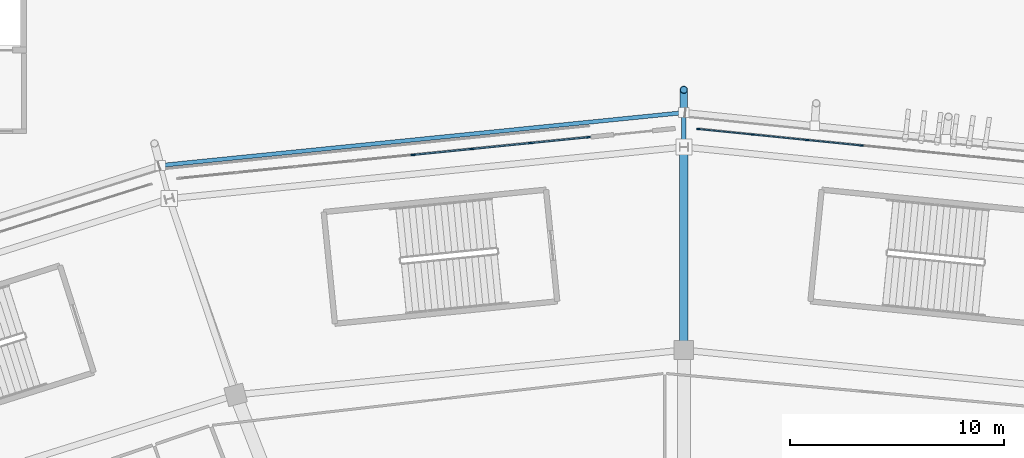
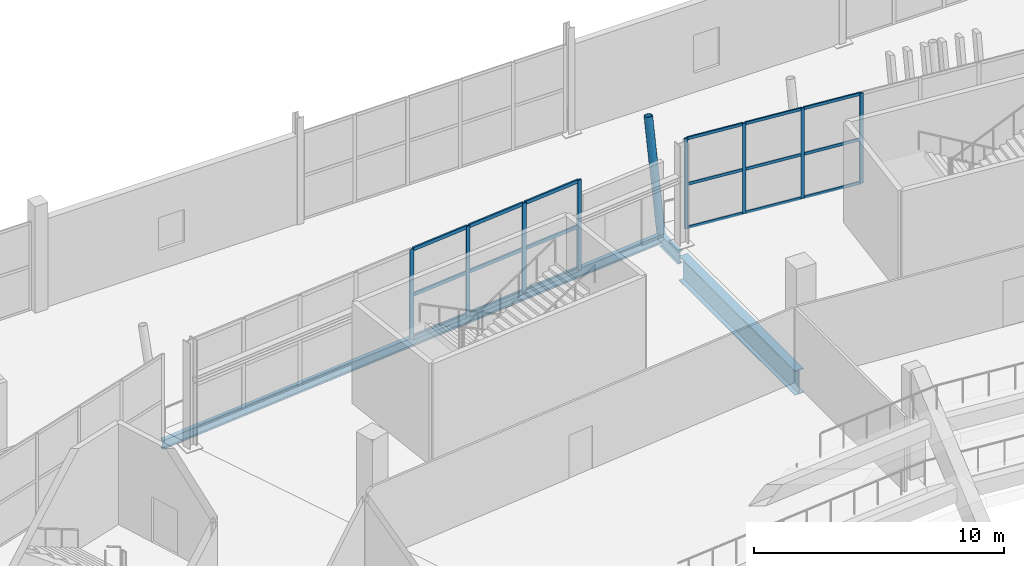
# One storey, part 76 of 178: 27 members, 3 beams, 2 elements without a shape of their own.
"""IFC4 building model written with IfcOpenShell, lengths in metres."""

from ifc_helpers import new_model, si_unit, direction, frame, origin, origin_2d, place, context, subcontext, project, spatial, rectangle, hollow_circle, i_section, extrude, material, material_profile, profile_set, type_object, element, aggregate, save


model = new_model("IFC4")

# Units and contexts
model_context = context("Model", 3, precision=1e-05, world=origin(), true_north=direction((0.0, 1.0)))
body_context = subcontext(model_context, "Body", "Model", "MODEL_VIEW")
ifc_project = project(units=[si_unit("LENGTHUNIT", "METRE"), si_unit("AREAUNIT", "SQUARE_METRE"), si_unit("VOLUMEUNIT", "CUBIC_METRE"), si_unit("PLANEANGLEUNIT", "RADIAN"), si_unit("MASSUNIT", "GRAM", prefix="KILO")], contexts=[model_context])

# Site, building, storey
site_placement = place(None, origin())
site = spatial("IfcSite", under=ifc_project, at=site_placement, CompositionType="ELEMENT")
building_placement = place(site_placement, origin())
building = spatial("IfcBuilding", under=site, at=building_placement, Name="Zlatoyarsky Gate Stadium", CompositionType="ELEMENT")
storey_placement = place(building_placement, frame((0.0, 0.0, 5.39990234375)))
storey = spatial("IfcBuildingStorey", under=building, at=storey_placement, Name="L01", CompositionType="ELEMENT", Elevation=5.39990234375)

# Curtain wall, members
ifc_material_1 = material(Name="Thermally broken anodised aluminium curtain wall", Category="aluminium")
curtain_wall_type_1 = type_object("IfcCurtainWallType", Name="MONUMENTAL ARCHED GATE GLAZING LOWER", PredefinedType="USERDEFINED", material=ifc_material_1)
curtain_wall_1_placement = place(storey_placement, origin())
curtain_wall_1 = element("IfcCurtainWall", 1, at=curtain_wall_1_placement, inside=storey, type_object=curtain_wall_type_1, Name="Curtain wall CW-L01-06", ObjectType="ARCHED GATE GLAZING", PredefinedType="USERDEFINED")
ifc_material_2 = material(Name="Anodised aluminium 6063-T6", Category="aluminium")
ifc_material_profile_1 = material_profile(ifc_material_2, rectangle(XDim=0.074951171875, YDim=0.18994140625, at=origin_2d()), Name="ALU 75X190")
ifc_profile_set_1 = profile_set([ifc_material_profile_1], Name="Anodised aluminium 6063-T6")
member_type_1 = type_object("IfcMemberType", Name="ALUMINIUM GATE MULLION 75X190", PredefinedType="MULLION", material=ifc_profile_set_1)
member_1_placement = place(storey_placement, frame((106.53515625, 151.45849609375, 0.0), z_axis=(0.0, 0.0, 1.0), x_axis=(0.100302795257, -0.994956958498, 0.0)))
member_1 = element("IfcMember", 2, at=member_1_placement, type_object=member_type_1, Name="CW-AG1 mullion 1", PredefinedType="MULLION", context=body_context, shape_type="SweptSolid", body=[
    extrude(rectangle(XDim=0.074951171875, YDim=0.18994140625, at=origin_2d()), origin(), (0.0, 0.0, 1.0), 4.400146484375),
])
member_2_placement = place(storey_placement, frame((103.8251953125, 151.185302734375, 0.0), z_axis=(0.0, 0.0, 1.0), x_axis=(0.100302795257, -0.994956958498, 0.0)))
member_2 = element("IfcMember", 3, at=member_2_placement, type_object=member_type_1, Name="CW-AG1 mullion 2", PredefinedType="MULLION", context=body_context, shape_type="SweptSolid", body=[
    extrude(rectangle(XDim=0.074951171875, YDim=0.18994140625, at=origin_2d()), origin(), (0.0, 0.0, 1.0), 4.400146484375),
])
member_3_placement = place(storey_placement, frame((101.077880859375, 150.908203125, 0.0), z_axis=(0.0, 0.0, 1.0), x_axis=(0.100302795257, -0.994956958498, 0.0)))
member_3 = element("IfcMember", 4, at=member_3_placement, type_object=member_type_1, Name="CW-AG1 mullion 3", PredefinedType="MULLION", context=body_context, shape_type="SweptSolid", body=[
    extrude(rectangle(XDim=0.074951171875, YDim=0.18994140625, at=origin_2d()), origin(), (0.0, 0.0, 1.0), 4.400146484375),
])
member_4_placement = place(storey_placement, frame((98.33056640625, 150.63134765625, 0.0), z_axis=(0.0, 0.0, 1.0), x_axis=(0.100302795257, -0.994956958498, 0.0)))
member_4 = element("IfcMember", 5, at=member_4_placement, type_object=member_type_1, Name="CW-AG1 mullion 4", PredefinedType="MULLION", context=body_context, shape_type="SweptSolid", body=[
    extrude(rectangle(XDim=0.074951171875, YDim=0.18994140625, at=origin_2d()), origin(), (0.0, 0.0, 1.0), 4.400146484375),
])
ifc_material_profile_2 = material_profile(ifc_material_2, rectangle(XDim=0.074951171875, YDim=0.169921875, at=origin_2d()), Name="ALU 75X170")
ifc_profile_set_2 = profile_set([ifc_material_profile_2], Name="Anodised aluminium 6063-T6")
member_type_2 = type_object("IfcMemberType", Name="ALUMINIUM GATE TRANSOM 75X170", PredefinedType="USERDEFINED", material=ifc_profile_set_2)
member_5_placement = place(storey_placement, frame((106.497802734375, 151.45458984375, 0.03759765625), z_axis=(-0.994959320295, -0.100279364565, 0.0), x_axis=(0.100279364565, -0.994959320295, 0.0)))
member_5 = element("IfcMember", 6, at=member_5_placement, type_object=member_type_2, Name="CW-AG1 transom 1.1", ObjectType="TRANSOM", PredefinedType="USERDEFINED", context=body_context, shape_type="SweptSolid", body=[
    extrude(rectangle(XDim=0.074951171875, YDim=0.169921875, at=origin_2d()), origin(), (0.0, 0.0, 1.0), 2.64892578125),
])
member_6_placement = place(storey_placement, frame((106.497802734375, 151.45458984375, 2.150146484375), z_axis=(-0.994959320295, -0.100279364565, 0.0), x_axis=(0.100279364565, -0.994959320295, 0.0)))
member_6 = element("IfcMember", 7, at=member_6_placement, type_object=member_type_2, Name="CW-AG1 transom 1.2", ObjectType="TRANSOM", PredefinedType="USERDEFINED", context=body_context, shape_type="SweptSolid", body=[
    extrude(rectangle(XDim=0.074951171875, YDim=0.169921875, at=origin_2d()), origin(), (0.0, 0.0, 1.0), 2.64892578125),
])
member_7_placement = place(storey_placement, frame((106.497802734375, 151.45458984375, 4.362548828125), z_axis=(-0.994959320295, -0.100279364565, 0.0), x_axis=(0.100279364565, -0.994959320295, 0.0)))
member_7 = element("IfcMember", 8, at=member_7_placement, type_object=member_type_2, Name="CW-AG1 transom 1.3", ObjectType="TRANSOM", PredefinedType="USERDEFINED", context=body_context, shape_type="SweptSolid", body=[
    extrude(rectangle(XDim=0.074951171875, YDim=0.169921875, at=origin_2d()), origin(), (0.0, 0.0, 1.0), 2.64892578125),
])
member_8_placement = place(storey_placement, frame((103.787841796875, 151.181396484375, 0.03759765625), z_axis=(-0.994962218896, -0.100250600844, 0.0), x_axis=(0.100250600844, -0.994962218896, 0.0)))
member_8 = element("IfcMember", 9, at=member_8_placement, type_object=member_type_2, Name="CW-AG1 transom 2.1", ObjectType="TRANSOM", PredefinedType="USERDEFINED", context=body_context, shape_type="SweptSolid", body=[
    extrude(rectangle(XDim=0.074951171875, YDim=0.169921875, at=origin_2d()), origin(), (0.0, 0.0, 1.0), 2.68603515625),
])
member_9_placement = place(storey_placement, frame((103.787841796875, 151.181396484375, 2.150146484375), z_axis=(-0.994962218896, -0.100250600844, 0.0), x_axis=(0.100250600844, -0.994962218896, 0.0)))
member_9 = element("IfcMember", 10, at=member_9_placement, type_object=member_type_2, Name="CW-AG1 transom 2.2", ObjectType="TRANSOM", PredefinedType="USERDEFINED", context=body_context, shape_type="SweptSolid", body=[
    extrude(rectangle(XDim=0.074951171875, YDim=0.169921875, at=origin_2d()), origin(), (0.0, 0.0, 1.0), 2.68603515625),
])
member_10_placement = place(storey_placement, frame((103.787841796875, 151.181396484375, 4.362548828125), z_axis=(-0.994962218896, -0.100250600844, 0.0), x_axis=(0.100250600844, -0.994962218896, 0.0)))
member_10 = element("IfcMember", 11, at=member_10_placement, type_object=member_type_2, Name="CW-AG1 transom 2.3", ObjectType="TRANSOM", PredefinedType="USERDEFINED", context=body_context, shape_type="SweptSolid", body=[
    extrude(rectangle(XDim=0.074951171875, YDim=0.169921875, at=origin_2d()), origin(), (0.0, 0.0, 1.0), 2.68603515625),
])
member_11_placement = place(storey_placement, frame((101.04052734375, 150.904541015625, 0.03759765625), z_axis=(-0.994953149133, -0.100340575193, 0.0), x_axis=(0.100340575193, -0.994953149133, 0.0)))
member_11 = element("IfcMember", 12, at=member_11_placement, type_object=member_type_2, Name="CW-AG1 transom 3.1", ObjectType="TRANSOM", PredefinedType="USERDEFINED", context=body_context, shape_type="SweptSolid", body=[
    extrude(rectangle(XDim=0.074951171875, YDim=0.169921875, at=origin_2d()), origin(), (0.0, 0.0, 1.0), 2.686279296875),
])
member_12_placement = place(storey_placement, frame((101.04052734375, 150.904541015625, 2.150146484375), z_axis=(-0.994953149133, -0.100340575193, 0.0), x_axis=(0.100340575193, -0.994953149133, 0.0)))
member_12 = element("IfcMember", 13, at=member_12_placement, type_object=member_type_2, Name="CW-AG1 transom 3.2", ObjectType="TRANSOM", PredefinedType="USERDEFINED", context=body_context, shape_type="SweptSolid", body=[
    extrude(rectangle(XDim=0.074951171875, YDim=0.169921875, at=origin_2d()), origin(), (0.0, 0.0, 1.0), 2.686279296875),
])
member_13_placement = place(storey_placement, frame((101.04052734375, 150.904541015625, 4.362548828125), z_axis=(-0.994953149133, -0.100340575193, 0.0), x_axis=(0.100340575193, -0.994953149133, 0.0)))
member_13 = element("IfcMember", 14, at=member_13_placement, type_object=member_type_2, Name="CW-AG1 transom 3.3", ObjectType="TRANSOM", PredefinedType="USERDEFINED", context=body_context, shape_type="SweptSolid", body=[
    extrude(rectangle(XDim=0.074951171875, YDim=0.169921875, at=origin_2d()), origin(), (0.0, 0.0, 1.0), 2.686279296875),
])
aggregate(curtain_wall_1, [member_1, member_2, member_3, member_4, member_5, member_6, member_7, member_8, member_9, member_10, member_11, member_12, member_13])

curtain_wall_type_2 = type_object("IfcCurtainWallType", Name="UNITISED HOSPITALITY GLAZING L01", PredefinedType="USERDEFINED", material=ifc_material_1)
curtain_wall_2_placement = place(storey_placement, origin())
curtain_wall_2 = element("IfcCurtainWall", 15, at=curtain_wall_2_placement, inside=storey, type_object=curtain_wall_type_2, Name="Curtain wall CW-L01-05", ObjectType="UNITISED GLAZING", PredefinedType="USERDEFINED")
ifc_material_profile_3 = material_profile(ifc_material_2, rectangle(XDim=0.06494140625, YDim=0.159912109375, at=origin_2d()), Name="ALU 65X160")
ifc_profile_set_3 = profile_set([ifc_material_profile_3], Name="Anodised aluminium 6063-T6")
member_type_3 = type_object("IfcMemberType", Name="ALUMINIUM MULLION 65X160", PredefinedType="MULLION", material=ifc_profile_set_3)
member_14_placement = place(storey_placement, frame((119.3173828125, 151.070068359375, 0.0), z_axis=(0.0, 0.0, 1.0), x_axis=(-0.100300354307, -0.99495720457, 0.0)))
member_14 = element("IfcMember", 16, at=member_14_placement, type_object=member_type_3, Name="CW-UG1 mullion 7", PredefinedType="MULLION", context=body_context, shape_type="SweptSolid", body=[
    extrude(rectangle(XDim=0.06494140625, YDim=0.159912109375, at=origin_2d()), origin(), (0.0, 0.0, 1.0), 4.400146484375),
])
member_15_placement = place(storey_placement, frame((116.760498046875, 151.327880859375, 0.0), z_axis=(0.0, 0.0, 1.0), x_axis=(-0.100300354307, -0.99495720457, 0.0)))
member_15 = element("IfcMember", 17, at=member_15_placement, type_object=member_type_3, Name="CW-UG1 mullion 8", PredefinedType="MULLION", context=body_context, shape_type="SweptSolid", body=[
    extrude(rectangle(XDim=0.06494140625, YDim=0.159912109375, at=origin_2d()), origin(), (0.0, 0.0, 1.0), 4.400146484375),
])
member_16_placement = place(storey_placement, frame((114.20361328125, 151.58544921875, 0.0), z_axis=(0.0, 0.0, 1.0), x_axis=(-0.100300354307, -0.99495720457, 0.0)))
member_16 = element("IfcMember", 18, at=member_16_placement, type_object=member_type_3, Name="CW-UG1 mullion 9", PredefinedType="MULLION", context=body_context, shape_type="SweptSolid", body=[
    extrude(rectangle(XDim=0.06494140625, YDim=0.159912109375, at=origin_2d()), origin(), (0.0, 0.0, 1.0), 4.400146484375),
])
member_17_placement = place(storey_placement, frame((111.678955078125, 151.840087890625, 0.0), z_axis=(0.0, 0.0, 1.0), x_axis=(-0.100300354307, -0.99495720457, 0.0)))
member_17 = element("IfcMember", 19, at=member_17_placement, type_object=member_type_3, Name="CW-UG1 mullion 10", PredefinedType="MULLION", context=body_context, shape_type="SweptSolid", body=[
    extrude(rectangle(XDim=0.06494140625, YDim=0.159912109375, at=origin_2d()), origin(), (0.0, 0.0, 1.0), 4.400146484375),
])
ifc_material_profile_4 = material_profile(ifc_material_2, rectangle(XDim=0.06494140625, YDim=0.139892578125, at=origin_2d()), Name="ALU 65X140")
ifc_profile_set_4 = profile_set([ifc_material_profile_4], Name="Anodised aluminium 6063-T6")
member_type_4 = type_object("IfcMemberType", Name="ALUMINIUM TRANSOM 65X140", PredefinedType="USERDEFINED", material=ifc_profile_set_4)
member_18_placement = place(storey_placement, frame((119.284912109375, 151.0732421875, 0.03271484375), z_axis=(-0.994957742763, 0.10029501541, 0.0), x_axis=(-0.10029501541, -0.994957742763, 0.0)))
member_18 = element("IfcMember", 20, at=member_18_placement, type_object=member_type_4, Name="CW-UG1 transom 7.1", ObjectType="TRANSOM", PredefinedType="USERDEFINED", context=body_context, shape_type="SweptSolid", body=[
    extrude(rectangle(XDim=0.06494140625, YDim=0.139892578125, at=origin_2d()), origin(), (0.0, 0.0, 1.0), 2.5048828125),
])
member_19_placement = place(storey_placement, frame((119.284912109375, 151.0732421875, 2.150146484375), z_axis=(-0.994957742763, 0.10029501541, 0.0), x_axis=(-0.10029501541, -0.994957742763, 0.0)))
member_19 = element("IfcMember", 21, at=member_19_placement, type_object=member_type_4, Name="CW-UG1 transom 7.2", ObjectType="TRANSOM", PredefinedType="USERDEFINED", context=body_context, shape_type="SweptSolid", body=[
    extrude(rectangle(XDim=0.06494140625, YDim=0.139892578125, at=origin_2d()), origin(), (0.0, 0.0, 1.0), 2.5048828125),
])
member_20_placement = place(storey_placement, frame((119.284912109375, 151.0732421875, 4.36767578125), z_axis=(-0.994957742763, 0.10029501541, 0.0), x_axis=(-0.10029501541, -0.994957742763, 0.0)))
member_20 = element("IfcMember", 22, at=member_20_placement, type_object=member_type_4, Name="CW-UG1 transom 7.3", ObjectType="TRANSOM", PredefinedType="USERDEFINED", context=body_context, shape_type="SweptSolid", body=[
    extrude(rectangle(XDim=0.06494140625, YDim=0.139892578125, at=origin_2d()), origin(), (0.0, 0.0, 1.0), 2.5048828125),
])
member_21_placement = place(storey_placement, frame((116.72802734375, 151.3310546875, 0.03271484375), z_axis=(-0.994957742763, 0.10029501541, 0.0), x_axis=(-0.10029501541, -0.994957742763, 0.0)))
member_21 = element("IfcMember", 23, at=member_21_placement, type_object=member_type_4, Name="CW-UG1 transom 8.1", ObjectType="TRANSOM", PredefinedType="USERDEFINED", context=body_context, shape_type="SweptSolid", body=[
    extrude(rectangle(XDim=0.06494140625, YDim=0.139892578125, at=origin_2d()), origin(), (0.0, 0.0, 1.0), 2.5048828125),
])
member_22_placement = place(storey_placement, frame((116.72802734375, 151.3310546875, 2.150146484375), z_axis=(-0.994957742763, 0.10029501541, 0.0), x_axis=(-0.10029501541, -0.994957742763, 0.0)))
member_22 = element("IfcMember", 24, at=member_22_placement, type_object=member_type_4, Name="CW-UG1 transom 8.2", ObjectType="TRANSOM", PredefinedType="USERDEFINED", context=body_context, shape_type="SweptSolid", body=[
    extrude(rectangle(XDim=0.06494140625, YDim=0.139892578125, at=origin_2d()), origin(), (0.0, 0.0, 1.0), 2.5048828125),
])
member_23_placement = place(storey_placement, frame((116.72802734375, 151.3310546875, 4.36767578125), z_axis=(-0.994957742763, 0.10029501541, 0.0), x_axis=(-0.10029501541, -0.994957742763, 0.0)))
member_23 = element("IfcMember", 25, at=member_23_placement, type_object=member_type_4, Name="CW-UG1 transom 8.3", ObjectType="TRANSOM", PredefinedType="USERDEFINED", context=body_context, shape_type="SweptSolid", body=[
    extrude(rectangle(XDim=0.06494140625, YDim=0.139892578125, at=origin_2d()), origin(), (0.0, 0.0, 1.0), 2.5048828125),
])
member_24_placement = place(storey_placement, frame((114.171142578125, 151.5888671875, 0.03271484375), z_axis=(-0.994963586545, 0.100237026337, 0.0), x_axis=(-0.100237026337, -0.994963586545, 0.0)))
member_24 = element("IfcMember", 26, at=member_24_placement, type_object=member_type_4, Name="CW-UG1 transom 9.1", ObjectType="TRANSOM", PredefinedType="USERDEFINED", context=body_context, shape_type="SweptSolid", body=[
    extrude(rectangle(XDim=0.06494140625, YDim=0.139892578125, at=origin_2d()), origin(), (0.0, 0.0, 1.0), 2.47216796875),
])
member_25_placement = place(storey_placement, frame((114.171142578125, 151.5888671875, 2.150146484375), z_axis=(-0.994963586545, 0.100237026337, 0.0), x_axis=(-0.100237026337, -0.994963586545, 0.0)))
member_25 = element("IfcMember", 27, at=member_25_placement, type_object=member_type_4, Name="CW-UG1 transom 9.2", ObjectType="TRANSOM", PredefinedType="USERDEFINED", context=body_context, shape_type="SweptSolid", body=[
    extrude(rectangle(XDim=0.06494140625, YDim=0.139892578125, at=origin_2d()), origin(), (0.0, 0.0, 1.0), 2.47216796875),
])
member_26_placement = place(storey_placement, frame((114.171142578125, 151.5888671875, 4.36767578125), z_axis=(-0.994963586545, 0.100237026337, 0.0), x_axis=(-0.100237026337, -0.994963586545, 0.0)))
member_26 = element("IfcMember", 28, at=member_26_placement, type_object=member_type_4, Name="CW-UG1 transom 9.3", ObjectType="TRANSOM", PredefinedType="USERDEFINED", context=body_context, shape_type="SweptSolid", body=[
    extrude(rectangle(XDim=0.06494140625, YDim=0.139892578125, at=origin_2d()), origin(), (0.0, 0.0, 1.0), 2.47216796875),
])
aggregate(curtain_wall_2, [member_14, member_15, member_16, member_17, member_18, member_19, member_20, member_21, member_22, member_23, member_24, member_25, member_26])

# Beams
ifc_material_3 = material(Name="Steel S355", Category="steel")
ifc_material_profile_5 = material_profile(ifc_material_3, i_section(OverallWidth=0.219970703125, OverallDepth=0.60009765625, WebThickness=0.011962890625, FlangeThickness=0.01904296875, FilletRadius=0.02392578125, at=origin_2d()), Name="IPE 600")
ifc_profile_set_5 = profile_set([ifc_material_profile_5], Name="Steel S355")
beam_type_1 = type_object("IfcBeamType", Name="STEEL CANTILEVER FLOOR BEAM IPE 600", PredefinedType="BEAM", material=ifc_profile_set_5)
beam_1_placement = place(storey_placement, frame((111.0, 151.1201171875, -0.760009765625), z_axis=(0.0, 1.0, 0.0), x_axis=(-1.0, 0.0, 0.0)))
element("IfcBeam", 29, at=beam_1_placement, inside=storey, type_object=beam_type_1, Name="Beam B-IPE600 BM-L01-OUT-06", PredefinedType="BEAM", context=body_context, shape_type="SweptSolid", body=[
    extrude(i_section(OverallWidth=0.219970703125, OverallDepth=0.60009765625, WebThickness=0.011962890625, FlangeThickness=0.01904296875, FilletRadius=0.02392578125, at=origin_2d()), origin(), (0.0, 0.0, 1.0), 1.48828125),
])
ifc_material_profile_6 = material_profile(ifc_material_3, i_section(OverallWidth=0.18994140625, OverallDepth=0.449951171875, WebThickness=0.009521484375, FlangeThickness=0.0146484375, FilletRadius=0.02099609375, at=origin_2d()), Name="IPE 450")
ifc_profile_set_6 = profile_set([ifc_material_profile_6], Name="Steel S355")
beam_type_2 = type_object("IfcBeamType", Name="STEEL EDGE SPANDREL IPE 450", PredefinedType="SPANDREL", material=ifc_profile_set_6)
beam_2_placement = place(storey_placement, frame((110.97998046875, 152.6064453125, -0.684814453125), z_axis=(-0.994934649728, -0.100523841803, 0.0), x_axis=(0.100523841803, -0.994934649728, 0.0)))
element("IfcBeam", 30, at=beam_2_placement, inside=storey, type_object=beam_type_2, Name="Beam SP-IPE450 BM-L01-SPD-06", PredefinedType="SPANDREL", context=body_context, shape_type="SweptSolid", body=[
    extrude(i_section(OverallWidth=0.18994140625, OverallDepth=0.449951171875, WebThickness=0.009521484375, FlangeThickness=0.0146484375, FilletRadius=0.02099609375, at=origin_2d()), origin(), (0.0, 0.0, 1.0), 24.571044921875),
])

# Member
ifc_material_profile_7 = material_profile(ifc_material_3, hollow_circle(Radius=0.177734375, WallThickness=0.02001953125, at=origin_2d()), Name="CHS 355.6X20")
ifc_profile_set_7 = profile_set([ifc_material_profile_7], Name="Steel S355")
member_type_5 = type_object("IfcMemberType", Name="STEEL LEANING RIB RING STRUT CHS 355.6X20", PredefinedType="STRUT", material=ifc_profile_set_7)
member_27_placement = place(storey_placement, frame((111.0, 152.6083984375, -0.760009765625), z_axis=(0.0, 0.19460082495, 0.980882520452), x_axis=(-1.0, 0.0, 0.0)))
element("IfcMember", 31, at=member_27_placement, inside=storey, type_object=member_type_5, Name="Leaning ring strut 06 L01 to L02", PredefinedType="STRUT", context=body_context, shape_type="SweptSolid", body=[
    extrude(hollow_circle(Radius=0.177734375, WallThickness=0.02001953125, at=origin_2d()), origin(), (0.0, 0.0, 1.0), 5.485107421875),
])

# Beam
ifc_material_profile_8 = material_profile(ifc_material_3, i_section(OverallWidth=0.39990234375, OverallDepth=1.199951171875, WebThickness=0.02001953125, FlangeThickness=0.035888671875, at=origin_2d()), Name="PG 1200X400")
ifc_profile_set_8 = profile_set([ifc_material_profile_8], Name="Steel S355")
beam_type_3 = type_object("IfcBeamType", Name="STEEL PORTAL TRANSFER GIRDER PG 1200X400", PredefinedType="BEAM", material=ifc_profile_set_8)
beam_3_placement = place(storey_placement, frame((111.0, 141.6201171875, -1.059814453125), z_axis=(0.0, 1.0, 0.0), x_axis=(-1.0, 0.0, 0.0)))
element("IfcBeam", 32, at=beam_3_placement, inside=storey, type_object=beam_type_3, Name="Beam G-PG1200 BM-L01-RBC-06", PredefinedType="BEAM", context=body_context, shape_type="SweptSolid", body=[
    extrude(i_section(OverallWidth=0.39990234375, OverallDepth=1.199951171875, WebThickness=0.02001953125, FlangeThickness=0.035888671875, at=origin_2d()), origin(), (0.0, 0.0, 1.0), 9.259765625),
])

save(model, "model.ifc")
